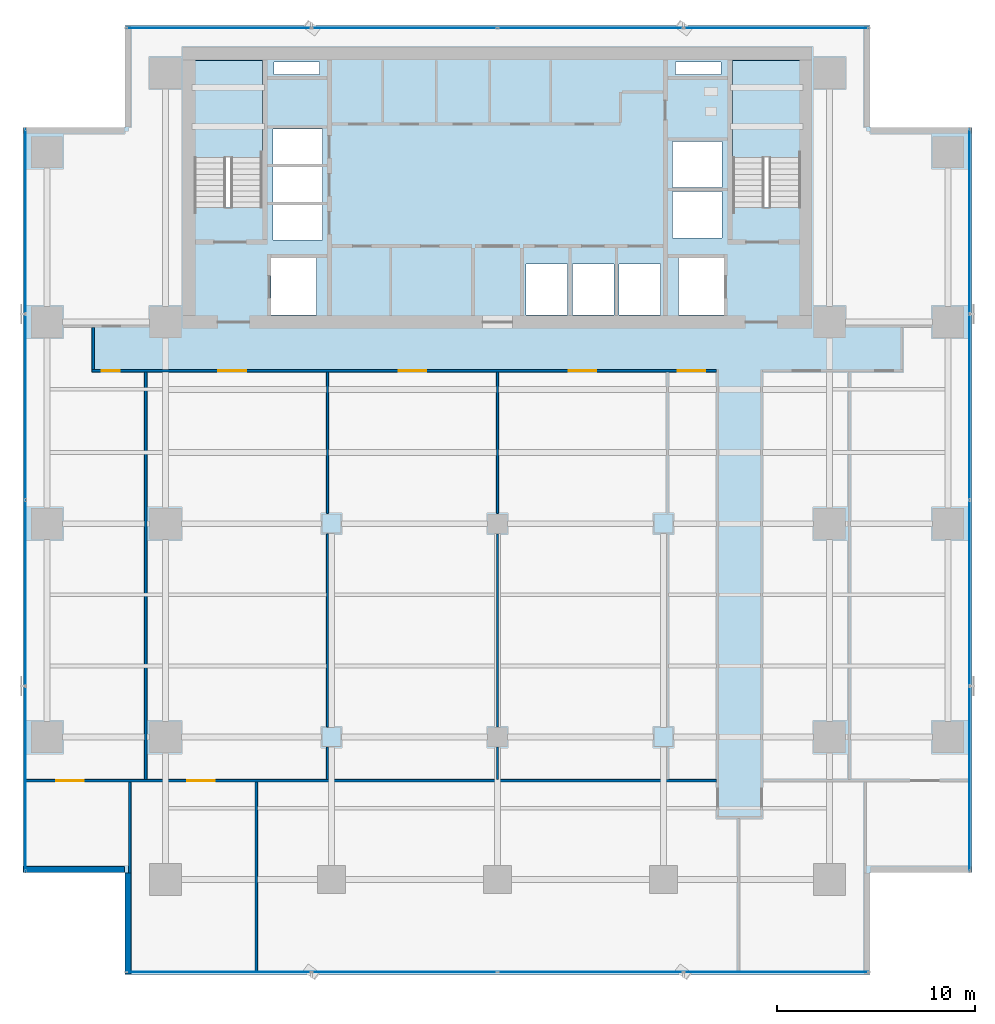
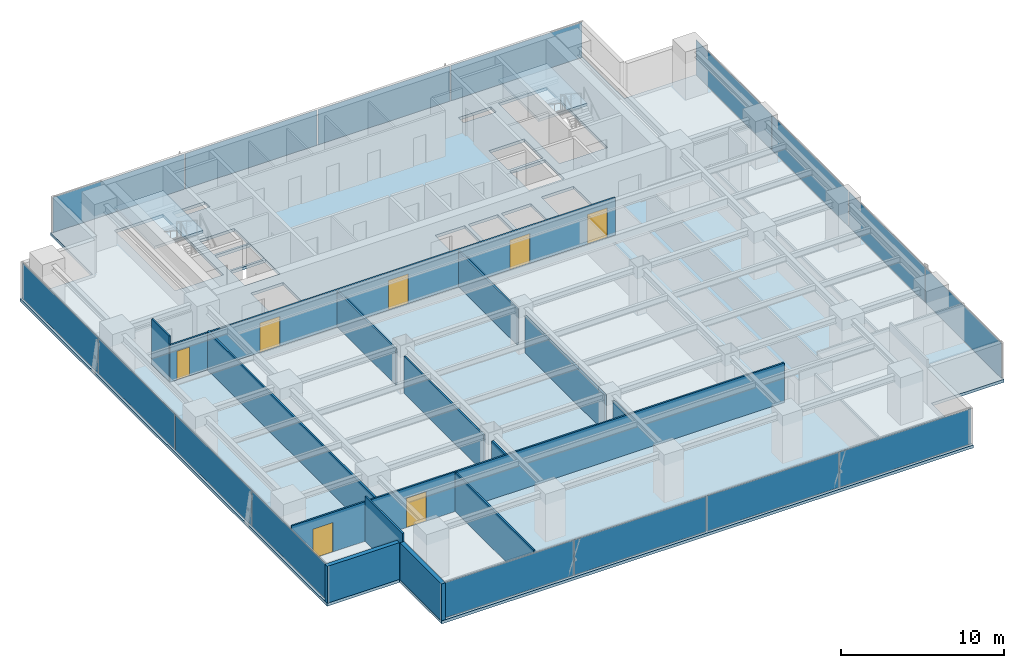
# One storey, part 20 of 28: 16 plates, 14 walls, 7 doors, 3 slabs, 7 openings, 6 elements without a shape of their own.
"""IFC4 building model written with IfcOpenShell, lengths in metres."""

from ifc_helpers import new_model, si_unit, direction, frame, frame_2d, origin, origin_2d, place, context, subcontext, project, spatial, polyline, rectangle, outline, extrude, source, transform, mapped, material, layer, layer_set, type_object, element, fill, aggregate, save


model = new_model("IFC4")

# Units and contexts
model_context = context("Model", 3, precision=1e-05, world=origin(), true_north=direction((0.0, 1.0)))
body_context = subcontext(model_context, "Body", "Model", "MODEL_VIEW")
ifc_project = project(units=[si_unit("LENGTHUNIT", "METRE"), si_unit("AREAUNIT", "SQUARE_METRE"), si_unit("VOLUMEUNIT", "CUBIC_METRE"), si_unit("PLANEANGLEUNIT", "RADIAN"), si_unit("MASSUNIT", "GRAM", prefix="KILO")], contexts=[model_context])

# Site, building, storey
site_placement = place(None, origin())
site = spatial("IfcSite", under=ifc_project, at=site_placement, CompositionType="ELEMENT")
building_placement = place(site_placement, origin())
building = spatial("IfcBuilding", under=site, at=building_placement, Name="Sumidabori Civic Tower", CompositionType="ELEMENT")
storey_placement = place(building_placement, frame((0.0, 0.0, 182.0)))
storey = spatial("IfcBuildingStorey", under=building, at=storey_placement, Name="L47", CompositionType="ELEMENT", Elevation=182.0)

# Stair, slab
ifc_material_1 = material(Name="Concrete C40/50", Category="concrete")
stair_type = type_object("IfcStairType", Name="ST-CORE-1600", PredefinedType="HALF_TURN_STAIR", material=ifc_material_1)
stair_1_placement = place(storey_placement, origin())
stair_1 = element("IfcStair", 1, at=stair_1_placement, inside=storey, type_object=stair_type, Name="L47 ST-1", PredefinedType="HALF_TURN_STAIR")
ifc_layer_1 = layer(ifc_material_1, 0.199951171875, Name="Concrete C40/50")
ifc_layer_set_1 = layer_set([ifc_layer_1], Name="Concrete C40/50")
slab_type_1 = type_object("IfcSlabType", Name="SL-LAND-200", PredefinedType="LANDING", material=ifc_layer_set_1)
slab_1_placement = place(storey_placement, frame((0.0, 0.0, 1.60009765625)))
slab_1 = element("IfcSlab", 2, at=slab_1_placement, type_object=slab_type_1, Name="ST-1 landing 1", PredefinedType="LANDING", context=body_context, shape_type="SweptSolid", body=[
    extrude(outline(polyline([(-11.89990234375, 18.52001953125), (-11.89990234375, 23.449951171875), (-15.340087890625, 23.449951171875), (-15.340087890625, 18.52001953125), (-11.89990234375, 18.52001953125)])), origin(), (0.0, 0.0, 1.0), 0.199951171875),
])
aggregate(stair_1, [slab_1])

stair_2_placement = place(storey_placement, origin())
stair_2 = element("IfcStair", 3, at=stair_2_placement, inside=storey, type_object=stair_type, Name="L47 ST-2", PredefinedType="HALF_TURN_STAIR")
slab_2_placement = place(storey_placement, frame((0.0, 0.0, 1.60009765625)))
slab_2 = element("IfcSlab", 4, at=slab_2_placement, type_object=slab_type_1, Name="ST-2 landing 1", PredefinedType="LANDING", context=body_context, shape_type="SweptSolid", body=[
    extrude(outline(polyline([(15.340087890625, 18.52001953125), (15.340087890625, 23.449951171875), (11.89990234375, 23.449951171875), (11.89990234375, 18.52001953125), (15.340087890625, 18.52001953125)])), origin(), (0.0, 0.0, 1.0), 0.199951171875),
])
aggregate(stair_2, [slab_2])

# Slab
ifc_layer_2 = layer(ifc_material_1, 0.219970703125, Name="Concrete C40/50")
ifc_layer_set_2 = layer_set([ifc_layer_2], Name="Concrete C40/50")
slab_type_2 = type_object("IfcSlabType", Name="SL-Z3-220", PredefinedType="FLOOR", material=ifc_layer_set_2)
slab_3_placement = place(storey_placement, frame((0.0, 0.0, -0.219970703125)))
element("IfcSlab", 5, at=slab_3_placement, inside=storey, type_object=slab_type_2, Name="Structural Slab L47", PredefinedType="FLOOR", context=body_context, shape_type="SweptSolid", body=[
    extrude(outline(polyline([(-18.85009765625, -22.800048828125), (18.85009765625, -22.800048828125), (18.85009765625, -17.64990234375), (24.0, -17.64990234375), (24.0, 20.050048828125), (18.85009765625, 20.050048828125), (18.85009765625, 25.199951171875), (-18.85009765625, 25.199951171875), (-18.85009765625, 20.050048828125), (-24.0, 20.050048828125), (-24.0, -17.64990234375), (-18.85009765625, -17.64990234375), (-18.85009765625, -22.800048828125)]), holes=[polyline([(-11.89990234375, 16.0), (-11.89990234375, 23.449951171875), (-15.340087890625, 23.449951171875), (-15.340087890625, 16.0), (-11.89990234375, 16.0)]), polyline([(15.340087890625, 16.0), (15.340087890625, 23.449951171875), (11.89990234375, 23.449951171875), (11.89990234375, 16.0), (15.340087890625, 16.0)]), polyline([(-11.449951171875, 10.550048828125), (-9.14990234375, 10.550048828125), (-9.14990234375, 13.449951171875), (-11.449951171875, 13.449951171875), (-11.449951171875, 10.550048828125)]), polyline([(9.14990234375, 10.550048828125), (11.449951171875, 10.550048828125), (11.449951171875, 13.449951171875), (9.14990234375, 13.449951171875), (9.14990234375, 10.550048828125)]), polyline([(1.449951171875, 10.550048828125), (3.550048828125, 10.550048828125), (3.550048828125, 13.14990234375), (1.449951171875, 13.14990234375), (1.449951171875, 10.550048828125)]), polyline([(3.800048828125, 10.550048828125), (5.89990234375, 10.550048828125), (5.89990234375, 13.14990234375), (3.800048828125, 13.14990234375), (3.800048828125, 10.550048828125)]), polyline([(6.14990234375, 10.550048828125), (8.25, 10.550048828125), (8.25, 13.14990234375), (6.14990234375, 13.14990234375), (6.14990234375, 10.550048828125)]), polyline([(-11.35009765625, 14.35009765625), (-8.85009765625, 14.35009765625), (-8.85009765625, 16.1201171875), (-11.35009765625, 16.1201171875), (-11.35009765625, 14.35009765625)]), polyline([(-11.35009765625, 16.27001953125), (-8.85009765625, 16.27001953125), (-8.85009765625, 18.0400390625), (-11.35009765625, 18.0400390625), (-11.35009765625, 16.27001953125)]), polyline([(-11.35009765625, 18.18994140625), (-8.85009765625, 18.18994140625), (-8.85009765625, 19.9599609375), (-11.35009765625, 19.9599609375), (-11.35009765625, 18.18994140625)]), polyline([(8.85009765625, 14.449951171875), (11.35009765625, 14.449951171875), (11.35009765625, 16.800048828125), (8.85009765625, 16.800048828125), (8.85009765625, 14.449951171875)]), polyline([(8.85009765625, 17.0), (11.35009765625, 17.0), (11.35009765625, 19.35009765625), (8.85009765625, 19.35009765625), (8.85009765625, 17.0)]), polyline([(-11.300048828125, 22.719970703125), (-9.0, 22.719970703125), (-9.0, 23.35009765625), (-11.300048828125, 23.35009765625), (-11.300048828125, 22.719970703125)]), polyline([(9.0, 22.719970703125), (11.300048828125, 22.719970703125), (11.300048828125, 23.35009765625), (9.0, 23.35009765625), (9.0, 22.719970703125)])]), origin(), (0.0, 0.0, 1.0), 0.219970703125),
])

# Curtain wall, plates
ifc_material_2 = material(Name="Anodised Bronze Aluminium AW-6063-T6", Category="aluminium")
ifc_layer_3 = layer(ifc_material_2, 0.179931640625, Name="Anodised Bronze Aluminium AW-6063-T6")
ifc_layer_set_3 = layer_set([ifc_layer_3], Name="Anodised Bronze Aluminium AW-6063-T6")
curtain_wall_type = type_object("IfcCurtainWallType", Name="CW-SYS-3", PredefinedType="NOTDEFINED", material=ifc_layer_set_3)
curtain_wall_1_placement = place(storey_placement, origin())
curtain_wall_1 = element("IfcCurtainWall", 6, at=curtain_wall_1_placement, inside=storey, type_object=curtain_wall_type, Name="Curtain Wall CW:L47:R01", PredefinedType="NOTDEFINED")
ifc_material_3 = material(Name="Low-E Solar-Control Vision Glazing", Category="glass")
ifc_layer_4 = layer(ifc_material_3, 0.028076171875, Name="Low-E Solar-Control Vision Glazing")
ifc_layer_set_4 = layer_set([ifc_layer_4], Name="Low-E Solar-Control Vision Glazing")
plate_type = type_object("IfcPlateType", Name="CW-PNL-28", PredefinedType="CURTAIN_PANEL", material=ifc_layer_set_4)
shared_shape_1 = source(origin(), body_context, "Body", "SweptSolid", [
    extrude(rectangle(XDim=9.3125, YDim=0.028076171875, at=origin_2d()), origin(), (0.0, 0.0, 1.0), 2.639892578125),
])
plate_1_placement = place(storey_placement, frame((-14.0986328125, -22.679931640625, 0.06005859375), z_axis=(0.0, 0.0, 1.0), x_axis=(1.0, 0.0, 0.0)))
plate_1 = element("IfcPlate", 7, at=plate_1_placement, type_object=plate_type, Name="CW-3 panel 1.1", PredefinedType="CURTAIN_PANEL", context=body_context, shape_type="MappedRepresentation", body=[
    mapped(shared_shape_1, transform((0.0, 0.0, 0.0), x_axis=(1.0, 0.0, 0.0), y_axis=(0.0, 1.0, 0.0), z_axis=(0.0, 0.0, 1.0), scale=1.0)),
])
plate_2_placement = place(storey_placement, frame((14.0986328125, -22.679931640625, 0.06005859375), z_axis=(0.0, 0.0, 1.0), x_axis=(1.0, 0.0, 0.0)))
plate_2 = element("IfcPlate", 8, at=plate_2_placement, type_object=plate_type, Name="CW-3 panel 4.1", PredefinedType="CURTAIN_PANEL", context=body_context, shape_type="MappedRepresentation", body=[
    mapped(shared_shape_1, transform((0.0, 0.0, 0.0), x_axis=(1.0, 0.0, 0.0), y_axis=(0.0, 1.0, 0.0), z_axis=(0.0, 0.0, 1.0), scale=1.0)),
])

curtain_wall_2_placement = place(storey_placement, origin())
curtain_wall_2 = element("IfcCurtainWall", 9, at=curtain_wall_2_placement, inside=storey, type_object=curtain_wall_type, Name="Curtain Wall CW:L47:R04", PredefinedType="NOTDEFINED")
plate_3_placement = place(storey_placement, frame((23.8798828125, -12.898681640625, 0.06005859375), z_axis=(0.0, 0.0, 1.0), x_axis=(0.0, 1.0, 0.0)))
plate_3 = element("IfcPlate", 10, at=plate_3_placement, type_object=plate_type, Name="CW-3 panel 1.1", PredefinedType="CURTAIN_PANEL", context=body_context, shape_type="MappedRepresentation", body=[
    mapped(shared_shape_1, transform((0.0, 0.0, 0.0), x_axis=(1.0, 0.0, 0.0), y_axis=(0.0, 1.0, 0.0), z_axis=(0.0, 0.0, 1.0), scale=1.0)),
])
plate_4_placement = place(storey_placement, frame((23.8798828125, 15.298828125, 0.06005859375), z_axis=(0.0, 0.0, 1.0), x_axis=(0.0, 1.0, 0.0)))
plate_4 = element("IfcPlate", 11, at=plate_4_placement, type_object=plate_type, Name="CW-3 panel 4.1", PredefinedType="CURTAIN_PANEL", context=body_context, shape_type="MappedRepresentation", body=[
    mapped(shared_shape_1, transform((0.0, 0.0, 0.0), x_axis=(1.0, 0.0, 0.0), y_axis=(0.0, 1.0, 0.0), z_axis=(0.0, 0.0, 1.0), scale=1.0)),
])

curtain_wall_3_placement = place(storey_placement, origin())
curtain_wall_3 = element("IfcCurtainWall", 12, at=curtain_wall_3_placement, inside=storey, type_object=curtain_wall_type, Name="Curtain Wall CW:L47:R07", PredefinedType="NOTDEFINED")
plate_5_placement = place(storey_placement, frame((14.0986328125, 25.080078125, 0.06005859375), z_axis=(0.0, 0.0, 1.0), x_axis=(-1.0, 0.0, 0.0)))
plate_5 = element("IfcPlate", 13, at=plate_5_placement, type_object=plate_type, Name="CW-3 panel 1.1", PredefinedType="CURTAIN_PANEL", context=body_context, shape_type="MappedRepresentation", body=[
    mapped(shared_shape_1, transform((0.0, 0.0, 0.0), x_axis=(1.0, 0.0, 0.0), y_axis=(0.0, 1.0, 0.0), z_axis=(0.0, 0.0, 1.0), scale=1.0)),
])
plate_6_placement = place(storey_placement, frame((-14.0986328125, 25.080078125, 0.06005859375), z_axis=(0.0, 0.0, 1.0), x_axis=(-1.0, 0.0, 0.0)))
plate_6 = element("IfcPlate", 14, at=plate_6_placement, type_object=plate_type, Name="CW-3 panel 4.1", PredefinedType="CURTAIN_PANEL", context=body_context, shape_type="MappedRepresentation", body=[
    mapped(shared_shape_1, transform((0.0, 0.0, 0.0), x_axis=(1.0, 0.0, 0.0), y_axis=(0.0, 1.0, 0.0), z_axis=(0.0, 0.0, 1.0), scale=1.0)),
])

curtain_wall_4_placement = place(storey_placement, origin())
curtain_wall_4 = element("IfcCurtainWall", 15, at=curtain_wall_4_placement, inside=storey, type_object=curtain_wall_type, Name="Curtain Wall CW:L47:R10", PredefinedType="NOTDEFINED")
plate_7_placement = place(storey_placement, frame((-23.8798828125, 15.298828125, 0.06005859375), z_axis=(0.0, 0.0, 1.0), x_axis=(0.0, -1.0, 0.0)))
plate_7 = element("IfcPlate", 16, at=plate_7_placement, type_object=plate_type, Name="CW-3 panel 1.1", PredefinedType="CURTAIN_PANEL", context=body_context, shape_type="MappedRepresentation", body=[
    mapped(shared_shape_1, transform((0.0, 0.0, 0.0), x_axis=(1.0, 0.0, 0.0), y_axis=(0.0, 1.0, 0.0), z_axis=(0.0, 0.0, 1.0), scale=1.0)),
])
plate_8_placement = place(storey_placement, frame((-23.8798828125, -12.898681640625, 0.06005859375), z_axis=(0.0, 0.0, 1.0), x_axis=(0.0, -1.0, 0.0)))
plate_8 = element("IfcPlate", 17, at=plate_8_placement, type_object=plate_type, Name="CW-3 panel 4.1", PredefinedType="CURTAIN_PANEL", context=body_context, shape_type="MappedRepresentation", body=[
    mapped(shared_shape_1, transform((0.0, 0.0, 0.0), x_axis=(1.0, 0.0, 0.0), y_axis=(0.0, 1.0, 0.0), z_axis=(0.0, 0.0, 1.0), scale=1.0)),
])

# Plate
shared_shape_2 = source(origin(), body_context, "Body", "SweptSolid", [
    extrude(rectangle(XDim=9.344970703125, YDim=0.028076171875, at=origin_2d()), origin(), (0.0, 0.0, 1.0), 2.639892578125),
])
plate_9_placement = place(storey_placement, frame((-4.705078125, -22.679931640625, 0.06005859375), z_axis=(0.0, 0.0, 1.0), x_axis=(1.0, 0.0, 0.0)))
plate_9 = element("IfcPlate", 18, at=plate_9_placement, type_object=plate_type, Name="CW-3 panel 2.1", PredefinedType="CURTAIN_PANEL", context=body_context, shape_type="MappedRepresentation", body=[
    mapped(shared_shape_2, transform((0.0, 0.0, 0.0), x_axis=(1.0, 0.0, 0.0), y_axis=(0.0, 1.0, 0.0), z_axis=(0.0, 0.0, 1.0), scale=1.0)),
])

plate_10_placement = place(storey_placement, frame((4.705078125, -22.679931640625, 0.06005859375), z_axis=(0.0, 0.0, 1.0), x_axis=(1.0, 0.0, 0.0)))
plate_10 = element("IfcPlate", 19, at=plate_10_placement, type_object=plate_type, Name="CW-3 panel 3.1", PredefinedType="CURTAIN_PANEL", context=body_context, shape_type="MappedRepresentation", body=[
    mapped(shared_shape_2, transform((0.0, 0.0, 0.0), x_axis=(1.0, 0.0, 0.0), y_axis=(0.0, 1.0, 0.0), z_axis=(0.0, 0.0, 1.0), scale=1.0)),
])

aggregate(curtain_wall_1, [plate_1, plate_9, plate_10, plate_2])

plate_11_placement = place(storey_placement, frame((23.8798828125, -3.5048828125, 0.06005859375), z_axis=(0.0, 0.0, 1.0), x_axis=(0.0, 1.0, 0.0)))
plate_11 = element("IfcPlate", 20, at=plate_11_placement, type_object=plate_type, Name="CW-3 panel 2.1", PredefinedType="CURTAIN_PANEL", context=body_context, shape_type="MappedRepresentation", body=[
    mapped(shared_shape_2, transform((0.0, 0.0, 0.0), x_axis=(1.0, 0.0, 0.0), y_axis=(0.0, 1.0, 0.0), z_axis=(0.0, 0.0, 1.0), scale=1.0)),
])

plate_12_placement = place(storey_placement, frame((23.8798828125, 5.905029296875, 0.06005859375), z_axis=(0.0, 0.0, 1.0), x_axis=(0.0, 1.0, 0.0)))
plate_12 = element("IfcPlate", 21, at=plate_12_placement, type_object=plate_type, Name="CW-3 panel 3.1", PredefinedType="CURTAIN_PANEL", context=body_context, shape_type="MappedRepresentation", body=[
    mapped(shared_shape_2, transform((0.0, 0.0, 0.0), x_axis=(1.0, 0.0, 0.0), y_axis=(0.0, 1.0, 0.0), z_axis=(0.0, 0.0, 1.0), scale=1.0)),
])

aggregate(curtain_wall_2, [plate_3, plate_11, plate_12, plate_4])

plate_13_placement = place(storey_placement, frame((4.705078125, 25.080078125, 0.06005859375), z_axis=(0.0, 0.0, 1.0), x_axis=(-1.0, 0.0, 0.0)))
plate_13 = element("IfcPlate", 22, at=plate_13_placement, type_object=plate_type, Name="CW-3 panel 2.1", PredefinedType="CURTAIN_PANEL", context=body_context, shape_type="MappedRepresentation", body=[
    mapped(shared_shape_2, transform((0.0, 0.0, 0.0), x_axis=(1.0, 0.0, 0.0), y_axis=(0.0, 1.0, 0.0), z_axis=(0.0, 0.0, 1.0), scale=1.0)),
])

plate_14_placement = place(storey_placement, frame((-4.705078125, 25.080078125, 0.06005859375), z_axis=(0.0, 0.0, 1.0), x_axis=(-1.0, 0.0, 0.0)))
plate_14 = element("IfcPlate", 23, at=plate_14_placement, type_object=plate_type, Name="CW-3 panel 3.1", PredefinedType="CURTAIN_PANEL", context=body_context, shape_type="MappedRepresentation", body=[
    mapped(shared_shape_2, transform((0.0, 0.0, 0.0), x_axis=(1.0, 0.0, 0.0), y_axis=(0.0, 1.0, 0.0), z_axis=(0.0, 0.0, 1.0), scale=1.0)),
])

aggregate(curtain_wall_3, [plate_5, plate_13, plate_14, plate_6])

plate_15_placement = place(storey_placement, frame((-23.8798828125, 5.905029296875, 0.06005859375), z_axis=(0.0, 0.0, 1.0), x_axis=(0.0, -1.0, 0.0)))
plate_15 = element("IfcPlate", 24, at=plate_15_placement, type_object=plate_type, Name="CW-3 panel 2.1", PredefinedType="CURTAIN_PANEL", context=body_context, shape_type="MappedRepresentation", body=[
    mapped(shared_shape_2, transform((0.0, 0.0, 0.0), x_axis=(1.0, 0.0, 0.0), y_axis=(0.0, 1.0, 0.0), z_axis=(0.0, 0.0, 1.0), scale=1.0)),
])

plate_16_placement = place(storey_placement, frame((-23.8798828125, -3.5048828125, 0.06005859375), z_axis=(0.0, 0.0, 1.0), x_axis=(0.0, -1.0, 0.0)))
plate_16 = element("IfcPlate", 25, at=plate_16_placement, type_object=plate_type, Name="CW-3 panel 3.1", PredefinedType="CURTAIN_PANEL", context=body_context, shape_type="MappedRepresentation", body=[
    mapped(shared_shape_2, transform((0.0, 0.0, 0.0), x_axis=(1.0, 0.0, 0.0), y_axis=(0.0, 1.0, 0.0), z_axis=(0.0, 0.0, 1.0), scale=1.0)),
])

aggregate(curtain_wall_4, [plate_7, plate_15, plate_16, plate_8])

# Walls
ifc_material_4 = material(Name="Precast concrete C40/50", Category="concrete")
ifc_layer_5 = layer(ifc_material_4, 0.300048828125, Name="Precast concrete C40/50")
ifc_layer_set_5 = layer_set([ifc_layer_5], Name="Precast concrete C40/50")
wall_type_1 = type_object("IfcWallType", Name="WL-EXT-POD300", PredefinedType="STANDARD", material=ifc_layer_set_5)
shared_shape_3 = source(origin(), body_context, "Body", "SweptSolid", [
    extrude(rectangle(XDim=5.110107421875, YDim=0.300048828125, at=frame_2d((2.55517578125, 0.0))), origin(), (0.0, 0.0, 1.0), 2.760009765625),
])
wall_1_placement = place(storey_placement, frame((-18.699951171875, -17.669921875, 0.0), z_axis=(0.0, 0.0, 1.0), x_axis=(0.0, -1.0, 0.0)))
element("IfcWall", 26, at=wall_1_placement, inside=storey, type_object=wall_type_1, Name="Notched Corner Spandrel Band L47-12", PredefinedType="STANDARD", context=body_context, shape_type="MappedRepresentation", body=[
    mapped(shared_shape_3, transform((0.0, 0.0, 0.0), x_axis=(1.0, 0.0, 0.0), y_axis=(0.0, 1.0, 0.0), z_axis=(0.0, 0.0, 1.0), scale=1.0)),
])
shared_shape_4 = source(origin(), body_context, "Body", "SweptSolid", [
    extrude(rectangle(XDim=5.10986328125, YDim=0.300048828125, at=frame_2d((2.554931640625, 0.0))), origin(), (0.0, 0.0, 1.0), 2.760009765625),
])
wall_2_placement = place(storey_placement, frame((-23.97998046875, -17.5, 0.0), z_axis=(0.0, 0.0, 1.0), x_axis=(1.0, 0.0, 0.0)))
element("IfcWall", 27, at=wall_2_placement, inside=storey, type_object=wall_type_1, Name="Notched Corner Spandrel Band L47-11", PredefinedType="STANDARD", context=body_context, shape_type="MappedRepresentation", body=[
    mapped(shared_shape_4, transform((0.0, 0.0, 0.0), x_axis=(1.0, 0.0, 0.0), y_axis=(0.0, 1.0, 0.0), z_axis=(0.0, 0.0, 1.0), scale=1.0)),
])

# Wall, openings, doors
ifc_material_5 = material(Name="Gypsum Plasterboard Acoustic Partition")
ifc_layer_6 = layer(ifc_material_5, 0.1201171875, Name="Gypsum Plasterboard Acoustic Partition")
ifc_layer_set_6 = layer_set([ifc_layer_6], Name="Gypsum Plasterboard Acoustic Partition")
wall_type_2 = type_object("IfcWallType", Name="WL-PART-120", PredefinedType="PARTITIONING", material=ifc_layer_set_6)
shared_shape_5 = source(origin(), body_context, "Body", "SweptSolid", [
    extrude(rectangle(XDim=31.60009765625, YDim=0.1201171875, at=frame_2d((15.800048828125, 0.0))), origin(), (0.0, 0.0, 1.0), 2.764892578125),
])
wall_3_placement = place(storey_placement, frame((-20.52001953125, 7.739990234375, 0.0), z_axis=(0.0, 0.0, 1.0), x_axis=(1.0, 0.0, 0.0)))
wall_3 = element("IfcWall", 28, at=wall_3_placement, inside=storey, type_object=wall_type_2, Name="Interior Partition WL:L47:CORR-SW", PredefinedType="PARTITIONING", context=body_context, shape_type="MappedRepresentation", body=[
    mapped(shared_shape_5, transform((0.0, 0.0, 0.0), x_axis=(1.0, 0.0, 0.0), y_axis=(0.0, 1.0, 0.0), z_axis=(0.0, 0.0, 1.0), scale=1.0)),
])
opening_1_placement = place(wall_3_placement, frame((0.5, 0.0, 0.0)))
opening_1 = element("IfcOpeningElement", 29, at=opening_1_placement, cuts=wall_3, Name="Opening DR-1", PredefinedType="OPENING", context=body_context, shape_type="SweptSolid", body=[
    extrude(rectangle(XDim=0.89990234375, YDim=2.14990234375, at=frame_2d((0.449951171875, 1.074951171875))), frame((0.0, 0.072021484375, 0.0), z_axis=(0.0, -1.0, 0.0), x_axis=(1.0, 0.0, 0.0)), (0.0, 0.0, 1.0), 0.14404296875),
])
opening_2_placement = place(wall_3_placement, frame((6.39990234375, 0.0, 0.0)))
opening_2 = element("IfcOpeningElement", 30, at=opening_2_placement, cuts=wall_3, Name="Opening DR-5", PredefinedType="OPENING", context=body_context, shape_type="SweptSolid", body=[
    extrude(rectangle(XDim=1.39990234375, YDim=2.199951171875, at=frame_2d((0.699951171875, 1.10009765625))), frame((0.0, 0.072021484375, 0.0), z_axis=(0.0, -1.0, 0.0), x_axis=(1.0, 0.0, 0.0)), (0.0, 0.0, 1.0), 0.14404296875),
])
opening_3_placement = place(wall_3_placement, frame((15.52001953125, 0.0, 0.0)))
opening_3 = element("IfcOpeningElement", 31, at=opening_3_placement, cuts=wall_3, Name="Opening DR-5", PredefinedType="OPENING", context=body_context, shape_type="SweptSolid", body=[
    extrude(rectangle(XDim=1.39990234375, YDim=2.199951171875, at=frame_2d((0.699951171875, 1.10009765625))), frame((0.0, 0.072021484375, 0.0), z_axis=(0.0, -1.0, 0.0), x_axis=(1.0, 0.0, 0.0)), (0.0, 0.0, 1.0), 0.14404296875),
])
opening_4_placement = place(wall_3_placement, frame((24.1201171875, 0.0, 0.0)))
opening_4 = element("IfcOpeningElement", 32, at=opening_4_placement, cuts=wall_3, Name="Opening DR-5", PredefinedType="OPENING", context=body_context, shape_type="SweptSolid", body=[
    extrude(rectangle(XDim=1.39990234375, YDim=2.199951171875, at=frame_2d((0.699951171875, 1.10009765625))), frame((0.0, 0.072021484375, 0.0), z_axis=(0.0, -1.0, 0.0), x_axis=(1.0, 0.0, 0.0)), (0.0, 0.0, 1.0), 0.14404296875),
])
opening_5_placement = place(wall_3_placement, frame((29.6298828125, 0.0, 0.0)))
opening_5 = element("IfcOpeningElement", 33, at=opening_5_placement, cuts=wall_3, Name="Opening DR-5", PredefinedType="OPENING", context=body_context, shape_type="SweptSolid", body=[
    extrude(rectangle(XDim=1.39990234375, YDim=2.199951171875, at=frame_2d((0.699951171875, 1.10009765625))), frame((0.0, 0.072021484375, 0.0), z_axis=(0.0, -1.0, 0.0), x_axis=(1.0, 0.0, 0.0)), (0.0, 0.0, 1.0), 0.14404296875),
])
ifc_material_6 = material(Name="Japanese Hinoki Timber", Category="wood")
door_type_1 = type_object("IfcDoorType", Name="DR-INT-900", OperationType="NOTDEFINED", PredefinedType="DOOR", material=ifc_material_6)
shared_shape_6 = source(origin(), body_context, "Body", "SweptSolid", [
    extrude(rectangle(XDim=0.89990234375, YDim=2.14990234375, at=frame_2d((0.449951171875, 1.074951171875))), frame((0.0, 0.02490234375, 0.0), z_axis=(0.0, -1.0, 0.0), x_axis=(1.0, 0.0, 0.0)), (0.0, 0.0, 1.0), 0.050048828125),
])
door_1_placement = place(opening_1_placement, origin())
door_1 = element("IfcDoor", 34, at=door_1_placement, inside=storey, type_object=door_type_1, Name="Door DR:L47:D02", OperationType="SINGLE_SWING_RIGHT", OverallHeight=2.14990234375, OverallWidth=0.89990234375, PredefinedType="DOOR", context=body_context, shape_type="MappedRepresentation", body=[
    mapped(shared_shape_6, transform((0.0, 0.0, 0.0), x_axis=(1.0, 0.0, 0.0), y_axis=(0.0, 1.0, 0.0), z_axis=(0.0, 0.0, 1.0), scale=1.0)),
])
fill(opening_1, door_1)
door_type_2 = type_object("IfcDoorType", Name="DR-DBL-1400", OperationType="DOUBLE_DOOR_SINGLE_SWING", PredefinedType="DOOR", material=ifc_material_2)
shared_shape_7 = source(origin(), body_context, "Body", "SweptSolid", [
    extrude(rectangle(XDim=1.39990234375, YDim=2.199951171875, at=frame_2d((0.699951171875, 1.10009765625))), frame((0.0, 0.02490234375, 0.0), z_axis=(0.0, -1.0, 0.0), x_axis=(1.0, 0.0, 0.0)), (0.0, 0.0, 1.0), 0.050048828125),
])
door_2_placement = place(opening_2_placement, origin())
door_2 = element("IfcDoor", 35, at=door_2_placement, inside=storey, type_object=door_type_2, Name="Door DR:L47:D05", OperationType="DOUBLE_DOOR_SINGLE_SWING", OverallHeight=2.199951171875, OverallWidth=1.39990234375, PredefinedType="DOOR", context=body_context, shape_type="MappedRepresentation", body=[
    mapped(shared_shape_7, transform((0.0, 0.0, 0.0), x_axis=(1.0, 0.0, 0.0), y_axis=(0.0, 1.0, 0.0), z_axis=(0.0, 0.0, 1.0), scale=1.0)),
])
fill(opening_2, door_2)
door_3_placement = place(opening_3_placement, origin())
door_3 = element("IfcDoor", 36, at=door_3_placement, inside=storey, type_object=door_type_2, Name="Door DR:L47:D06", OperationType="DOUBLE_DOOR_SINGLE_SWING", OverallHeight=2.199951171875, OverallWidth=1.39990234375, PredefinedType="DOOR", context=body_context, shape_type="MappedRepresentation", body=[
    mapped(shared_shape_7, transform((0.0, 0.0, 0.0), x_axis=(1.0, 0.0, 0.0), y_axis=(0.0, 1.0, 0.0), z_axis=(0.0, 0.0, 1.0), scale=1.0)),
])
fill(opening_3, door_3)
door_4_placement = place(opening_4_placement, origin())
door_4 = element("IfcDoor", 37, at=door_4_placement, inside=storey, type_object=door_type_2, Name="Door DR:L47:D07", OperationType="DOUBLE_DOOR_SINGLE_SWING", OverallHeight=2.199951171875, OverallWidth=1.39990234375, PredefinedType="DOOR", context=body_context, shape_type="MappedRepresentation", body=[
    mapped(shared_shape_7, transform((0.0, 0.0, 0.0), x_axis=(1.0, 0.0, 0.0), y_axis=(0.0, 1.0, 0.0), z_axis=(0.0, 0.0, 1.0), scale=1.0)),
])
fill(opening_4, door_4)
door_5_placement = place(opening_5_placement, origin())
door_5 = element("IfcDoor", 38, at=door_5_placement, inside=storey, type_object=door_type_2, Name="Door DR:L47:D08", OperationType="DOUBLE_DOOR_SINGLE_SWING", OverallHeight=2.199951171875, OverallWidth=1.39990234375, PredefinedType="DOOR", context=body_context, shape_type="MappedRepresentation", body=[
    mapped(shared_shape_7, transform((0.0, 0.0, 0.0), x_axis=(1.0, 0.0, 0.0), y_axis=(0.0, 1.0, 0.0), z_axis=(0.0, 0.0, 1.0), scale=1.0)),
])
fill(opening_5, door_5)

# Wall
shared_shape_8 = source(origin(), body_context, "Body", "SweptSolid", [
    extrude(rectangle(XDim=2.130126953125, YDim=0.1201171875, at=frame_2d((1.06494140625, 0.0))), origin(), (0.0, 0.0, 1.0), 3.3798828125),
])
wall_4_placement = place(storey_placement, frame((-20.4599609375, 7.804931640625, 0.0), z_axis=(0.0, 0.0, 1.0), x_axis=(0.0, 1.0, 0.0)))
element("IfcWall", 39, at=wall_4_placement, inside=storey, type_object=wall_type_2, Name="Interior Partition WL:L47:CORR-VNW", PredefinedType="PARTITIONING", context=body_context, shape_type="MappedRepresentation", body=[
    mapped(shared_shape_8, transform((0.0, 0.0, 0.0), x_axis=(1.0, 0.0, 0.0), y_axis=(0.0, 1.0, 0.0), z_axis=(0.0, 0.0, 1.0), scale=1.0)),
])

# Wall, openings, doors
shared_shape_9 = source(origin(), body_context, "Body", "SweptSolid", [
    extrude(rectangle(XDim=34.925048828125, YDim=0.1201171875, at=frame_2d((17.46240234375, 0.0))), origin(), (0.0, 0.0, 1.0), 2.965087890625),
])
wall_5_placement = place(storey_placement, frame((-23.85009765625, -13.0, 0.0), z_axis=(0.0, 0.0, 1.0), x_axis=(1.0, 0.0, 0.0)))
wall_5 = element("IfcWall", 40, at=wall_5_placement, inside=storey, type_object=wall_type_2, Name="Interior Partition WL:L47:BAND-Y-1", PredefinedType="PARTITIONING", context=body_context, shape_type="MappedRepresentation", body=[
    mapped(shared_shape_9, transform((0.0, 0.0, 0.0), x_axis=(1.0, 0.0, 0.0), y_axis=(0.0, 1.0, 0.0), z_axis=(0.0, 0.0, 1.0), scale=1.0)),
])
opening_6_placement = place(wall_5_placement, frame((1.514892578125, 0.0, 0.0)))
opening_6 = element("IfcOpeningElement", 41, at=opening_6_placement, cuts=wall_5, Name="Opening DR-5", PredefinedType="OPENING", context=body_context, shape_type="SweptSolid", body=[
    extrude(rectangle(XDim=1.39990234375, YDim=2.199951171875, at=frame_2d((0.699951171875, 1.10009765625))), frame((0.0, 0.072021484375, 0.0), z_axis=(0.0, -1.0, 0.0), x_axis=(1.0, 0.0, 0.0)), (0.0, 0.0, 1.0), 0.14404296875),
])
opening_7_placement = place(wall_5_placement, frame((8.14990234375, 0.0, 0.0)))
opening_7 = element("IfcOpeningElement", 42, at=opening_7_placement, cuts=wall_5, Name="Opening DR-5", PredefinedType="OPENING", context=body_context, shape_type="SweptSolid", body=[
    extrude(rectangle(XDim=1.39990234375, YDim=2.199951171875, at=frame_2d((0.699951171875, 1.10009765625))), frame((0.0, 0.072021484375, 0.0), z_axis=(0.0, -1.0, 0.0), x_axis=(1.0, 0.0, 0.0)), (0.0, 0.0, 1.0), 0.14404296875),
])
door_6_placement = place(opening_6_placement, origin())
door_6 = element("IfcDoor", 43, at=door_6_placement, inside=storey, type_object=door_type_2, Name="Door DR:L47:D11", OperationType="DOUBLE_DOOR_SINGLE_SWING", OverallHeight=2.199951171875, OverallWidth=1.39990234375, PredefinedType="DOOR", context=body_context, shape_type="MappedRepresentation", body=[
    mapped(shared_shape_7, transform((0.0, 0.0, 0.0), x_axis=(1.0, 0.0, 0.0), y_axis=(0.0, 1.0, 0.0), z_axis=(0.0, 0.0, 1.0), scale=1.0)),
])
fill(opening_6, door_6)
door_7_placement = place(opening_7_placement, origin())
door_7 = element("IfcDoor", 44, at=door_7_placement, inside=storey, type_object=door_type_2, Name="Door DR:L47:D13", OperationType="DOUBLE_DOOR_SINGLE_SWING", OverallHeight=2.199951171875, OverallWidth=1.39990234375, PredefinedType="DOOR", context=body_context, shape_type="MappedRepresentation", body=[
    mapped(shared_shape_7, transform((0.0, 0.0, 0.0), x_axis=(1.0, 0.0, 0.0), y_axis=(0.0, 1.0, 0.0), z_axis=(0.0, 0.0, 1.0), scale=1.0)),
])
fill(opening_7, door_7)

# Walls
shared_shape_10 = source(origin(), body_context, "Body", "SweptSolid", [
    extrude(rectangle(XDim=20.610107421875, YDim=0.1201171875, at=frame_2d((10.30517578125, 0.0))), origin(), (0.0, 0.0, 1.0), 2.9150390625),
])
wall_6_placement = place(storey_placement, frame((-17.800048828125, -12.93505859375, 0.0), z_axis=(0.0, 0.0, 1.0), x_axis=(0.0, 1.0, 0.0)))
element("IfcWall", 45, at=wall_6_placement, inside=storey, type_object=wall_type_2, Name="Interior Partition WL:L47:VX-N1", PredefinedType="PARTITIONING", context=body_context, shape_type="MappedRepresentation", body=[
    mapped(shared_shape_10, transform((0.0, 0.0, 0.0), x_axis=(1.0, 0.0, 0.0), y_axis=(0.0, 1.0, 0.0), z_axis=(0.0, 0.0, 1.0), scale=1.0)),
])
shared_shape_11 = source(origin(), body_context, "Body", "SweptSolid", [
    extrude(rectangle(XDim=1.625, YDim=0.1201171875, at=frame_2d((0.8125, 0.0))), origin(), (0.0, 0.0, 1.0), 2.965087890625),
])
for number, where, z_axis, x_axis, name in (
    (46, (-8.60009765625, -12.93505859375, 0.0), (0.0, 0.0, 1.0), (0.0, 1.0, 0.0), "Interior Partition WL:L47:VX-N2-1"),
    (47, (0.0, -12.93505859375, 0.0), (0.0, 0.0, 1.0), (0.0, 1.0, 0.0), "Interior Partition WL:L47:VX-N3-1"),
):
    element("IfcWall", number, at=place(storey_placement, frame(where, z_axis=z_axis, x_axis=x_axis)), inside=storey, type_object=wall_type_2, Name=name, PredefinedType="PARTITIONING", context=body_context, shape_type="MappedRepresentation", body=[
        mapped(shared_shape_11, transform((0.0, 0.0, 0.0), x_axis=(1.0, 0.0, 0.0), y_axis=(0.0, 1.0, 0.0), z_axis=(0.0, 0.0, 1.0), scale=1.0)),
    ])
shared_shape_12 = source(origin(), body_context, "Body", "SweptSolid", [
    extrude(rectangle(XDim=7.1650390625, YDim=0.1201171875, at=frame_2d((3.58251953125, 0.0))), origin(), (0.0, 0.0, 1.0), 2.6650390625),
])
for number, where, z_axis, x_axis, name in (
    (48, (-8.60009765625, 0.510009765625, 0.0), (0.0, 0.0, 1.0), (0.0, 1.0, 0.0), "Interior Partition WL:L47:VX-N2-3"),
    (49, (0.0, 0.510009765625, 0.0), (0.0, 0.0, 1.0), (0.0, 1.0, 0.0), "Interior Partition WL:L47:VX-N3-3"),
):
    element("IfcWall", number, at=place(storey_placement, frame(where, z_axis=z_axis, x_axis=x_axis)), inside=storey, type_object=wall_type_2, Name=name, PredefinedType="PARTITIONING", context=body_context, shape_type="MappedRepresentation", body=[
        mapped(shared_shape_12, transform((0.0, 0.0, 0.0), x_axis=(1.0, 0.0, 0.0), y_axis=(0.0, 1.0, 0.0), z_axis=(0.0, 0.0, 1.0), scale=1.0)),
    ])
shared_shape_13 = source(origin(), body_context, "Body", "SweptSolid", [
    extrude(rectangle(XDim=9.5849609375, YDim=0.1201171875, at=frame_2d((4.79248046875, 0.0))), origin(), (0.0, 0.0, 1.0), 2.9150390625),
])
wall_7_placement = place(storey_placement, frame((-12.199951171875, -22.64990234375, 0.0), z_axis=(0.0, 0.0, 1.0), x_axis=(0.0, 1.0, 0.0)))
element("IfcWall", 50, at=wall_7_placement, inside=storey, type_object=wall_type_2, Name="Interior Partition WL:L47:VX-S2", PredefinedType="PARTITIONING", context=body_context, shape_type="MappedRepresentation", body=[
    mapped(shared_shape_13, transform((0.0, 0.0, 0.0), x_axis=(1.0, 0.0, 0.0), y_axis=(0.0, 1.0, 0.0), z_axis=(0.0, 0.0, 1.0), scale=1.0)),
])
shared_shape_14 = source(origin(), body_context, "Body", "SweptSolid", [
    extrude(rectangle(XDim=9.780029296875, YDim=0.1201171875, at=frame_2d((4.89013671875, 0.0))), origin(), (0.0, 0.0, 1.0), 2.764892578125),
])
for number, where, z_axis, x_axis, name in (
    (51, (-8.60009765625, -10.2900390625, 0.0), (0.0, 0.0, 1.0), (0.0, 1.0, 0.0), "Interior Partition WL:L47:VX-N2-2"),
    (52, (0.0, -10.2900390625, 0.0), (0.0, 0.0, 1.0), (0.0, 1.0, 0.0), "Interior Partition WL:L47:VX-N3-2"),
):
    element("IfcWall", number, at=place(storey_placement, frame(where, z_axis=z_axis, x_axis=x_axis)), inside=storey, type_object=wall_type_2, Name=name, PredefinedType="PARTITIONING", context=body_context, shape_type="MappedRepresentation", body=[
        mapped(shared_shape_14, transform((0.0, 0.0, 0.0), x_axis=(1.0, 0.0, 0.0), y_axis=(0.0, 1.0, 0.0), z_axis=(0.0, 0.0, 1.0), scale=1.0)),
    ])
shared_shape_15 = source(origin(), body_context, "Body", "SweptSolid", [
    extrude(rectangle(XDim=4.59716796875, YDim=0.1201171875, at=frame_2d((2.298583984375, 0.0))), origin(), (0.0, 0.0, 1.0), 3.3798828125),
])
wall_8_placement = place(storey_placement, frame((-18.60009765625, -17.662109375, 0.0), z_axis=(0.0, 0.0, 1.0), x_axis=(0.0, 1.0, 0.0)))
element("IfcWall", 53, at=wall_8_placement, inside=storey, type_object=wall_type_2, Name="Interior Partition WL:L47:VX-S1", PredefinedType="PARTITIONING", context=body_context, shape_type="MappedRepresentation", body=[
    mapped(shared_shape_15, transform((0.0, 0.0, 0.0), x_axis=(1.0, 0.0, 0.0), y_axis=(0.0, 1.0, 0.0), z_axis=(0.0, 0.0, 1.0), scale=1.0)),
])

save(model, "model.ifc")
